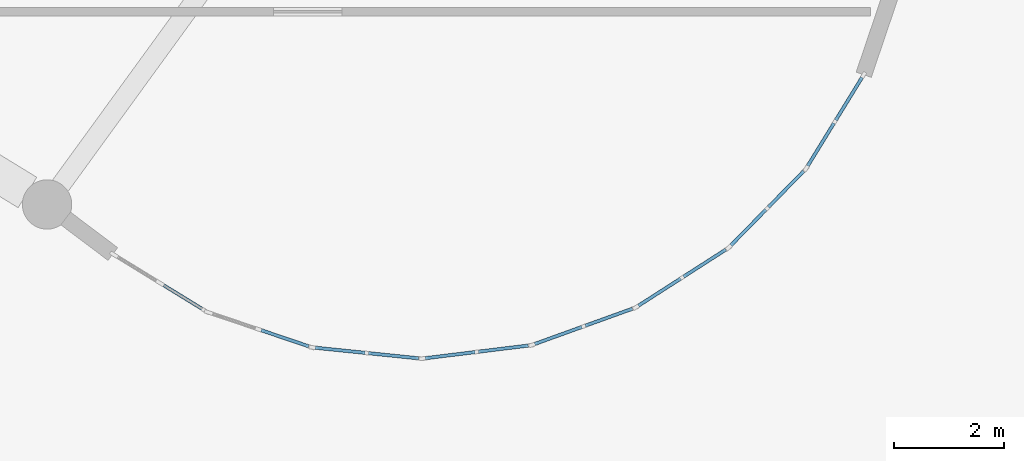
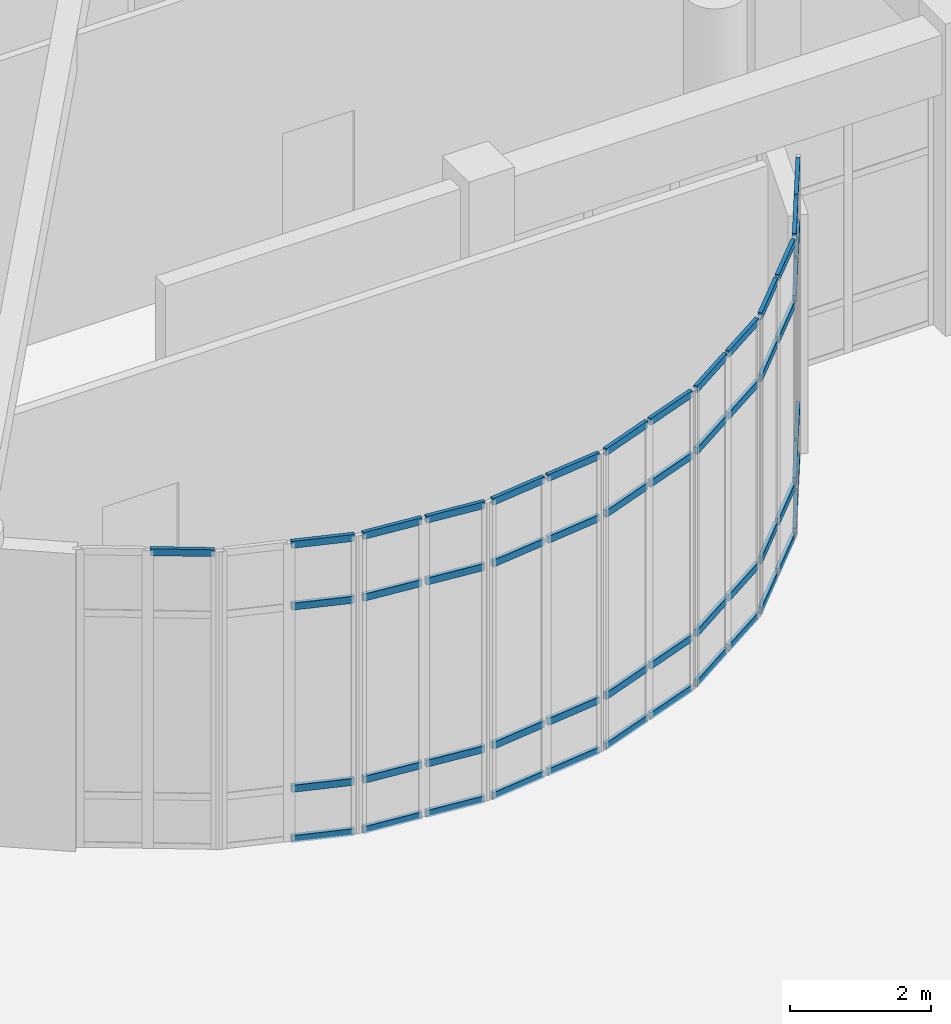
# One storey, part 35 of 70: 53 members, 8 elements without a shape of their own.
"""IFC4 building model written with IfcOpenShell, lengths in metres."""

from ifc_helpers import new_model, si_unit, direction, frame, origin, origin_2d, place, context, subcontext, project, spatial, rectangle, extrude, material, layer, layer_set, material_profile, profile_set, type_object, element, aggregate, save


model = new_model("IFC4")

# Units and contexts
model_context = context("Model", 3, precision=1e-05, world=origin(), true_north=direction((0.0, 1.0)))
body_context = subcontext(model_context, "Body", "Model", "MODEL_VIEW")
ifc_project = project(units=[si_unit("LENGTHUNIT", "METRE"), si_unit("AREAUNIT", "SQUARE_METRE"), si_unit("VOLUMEUNIT", "CUBIC_METRE"), si_unit("PLANEANGLEUNIT", "RADIAN"), si_unit("MASSUNIT", "GRAM", prefix="KILO")], contexts=[model_context])

# Site, building, storey
site_placement = place(None, origin())
site = spatial("IfcSite", under=ifc_project, at=site_placement, CompositionType="ELEMENT")
building_placement = place(site_placement, origin())
building = spatial("IfcBuilding", under=site, at=building_placement, Name="Miralva Faculty of Natural Sciences", CompositionType="ELEMENT")
storey_placement = place(building_placement, origin())
storey = spatial("IfcBuildingStorey", under=building, at=storey_placement, Name="L00", CompositionType="ELEMENT", Elevation=0.0)

# Curtain wall, members
ifc_material_1 = material(Name="Laminated solar-control glass", Category="glass")
ifc_layer = layer(ifc_material_1, 0.179931640625, Name="CW-RND-L00")
ifc_layer_set = layer_set([ifc_layer], Name="Laminated solar-control glass")
curtain_wall_type = type_object("IfcCurtainWallType", Name="CW-RND-L00", PredefinedType="USERDEFINED", material=ifc_layer_set)
curtain_wall_1_placement = place(storey_placement, origin())
curtain_wall_1 = element("IfcCurtainWall", 1, at=curtain_wall_1_placement, inside=storey, type_object=curtain_wall_type, Name="Curtain wall CW-04 L00-21", ObjectType="UNITISED CURTAIN WALL", PredefinedType="USERDEFINED")
ifc_material_2 = material(Name="Anodised aluminium", Category="aluminium")
ifc_material_profile = material_profile(ifc_material_2, rectangle(XDim=0.06005859375, YDim=0.1201171875, at=origin_2d()), Name="TRANSOM 60x120")
ifc_profile_set = profile_set([ifc_material_profile], Name="Anodised aluminium")
member_type = type_object("IfcMemberType", Name="CW-T02", PredefinedType="USERDEFINED", material=ifc_profile_set)
member_1_placement = place(storey_placement, frame((129.140625, 14.490966796875, 0.030029296875), z_axis=(0.52351521274, 0.852016327326, 0.0), x_axis=(-0.852016327326, 0.52351521274, 0.0)))
member_1 = element("IfcMember", 2, at=member_1_placement, type_object=member_type, Name="CW-04 transom 1.1", ObjectType="TRANSOM", PredefinedType="USERDEFINED", context=body_context, shape_type="SweptSolid", body=[
    extrude(rectangle(XDim=0.06005859375, YDim=0.1201171875, at=origin_2d()), origin(), (0.0, 0.0, 1.0), 0.91259765625),
])
member_2_placement = place(storey_placement, frame((129.140625, 14.490966796875, 0.89990234375), z_axis=(0.52351521274, 0.852016327326, 0.0), x_axis=(-0.852016327326, 0.52351521274, 0.0)))
member_2 = element("IfcMember", 3, at=member_2_placement, type_object=member_type, Name="CW-04 transom 1.2", ObjectType="TRANSOM", PredefinedType="USERDEFINED", context=body_context, shape_type="SweptSolid", body=[
    extrude(rectangle(XDim=0.06005859375, YDim=0.1201171875, at=origin_2d()), origin(), (0.0, 0.0, 1.0), 0.91259765625),
])
member_3_placement = place(storey_placement, frame((129.140625, 14.490966796875, 4.050048828125), z_axis=(0.52351521274, 0.852016327326, 0.0), x_axis=(-0.852016327326, 0.52351521274, 0.0)))
member_3 = element("IfcMember", 4, at=member_3_placement, type_object=member_type, Name="CW-04 transom 1.3", ObjectType="TRANSOM", PredefinedType="USERDEFINED", context=body_context, shape_type="SweptSolid", body=[
    extrude(rectangle(XDim=0.06005859375, YDim=0.1201171875, at=origin_2d()), origin(), (0.0, 0.0, 1.0), 0.91259765625),
])
member_4_placement = place(storey_placement, frame((129.140625, 14.490966796875, 5.1201171875), z_axis=(0.52351521274, 0.852016327326, 0.0), x_axis=(-0.852016327326, 0.52351521274, 0.0)))
member_4 = element("IfcMember", 5, at=member_4_placement, type_object=member_type, Name="CW-04 transom 1.4", ObjectType="TRANSOM", PredefinedType="USERDEFINED", context=body_context, shape_type="SweptSolid", body=[
    extrude(rectangle(XDim=0.06005859375, YDim=0.1201171875, at=origin_2d()), origin(), (0.0, 0.0, 1.0), 0.91259765625),
])
member_5_placement = place(storey_placement, frame((129.65234375, 15.323974609375, 0.030029296875), z_axis=(0.523709365282, 0.851897001237, 0.0), x_axis=(-0.851897001237, 0.523709365282, 0.0)))
member_5 = element("IfcMember", 6, at=member_5_placement, type_object=member_type, Name="CW-04 transom 2.1", ObjectType="TRANSOM", PredefinedType="USERDEFINED", context=body_context, shape_type="SweptSolid", body=[
    extrude(rectangle(XDim=0.06005859375, YDim=0.1201171875, at=origin_2d()), origin(), (0.0, 0.0, 1.0), 0.912841796875),
])
member_6_placement = place(storey_placement, frame((129.65234375, 15.323974609375, 0.89990234375), z_axis=(0.523709365282, 0.851897001237, 0.0), x_axis=(-0.851897001237, 0.523709365282, 0.0)))
member_6 = element("IfcMember", 7, at=member_6_placement, type_object=member_type, Name="CW-04 transom 2.2", ObjectType="TRANSOM", PredefinedType="USERDEFINED", context=body_context, shape_type="SweptSolid", body=[
    extrude(rectangle(XDim=0.06005859375, YDim=0.1201171875, at=origin_2d()), origin(), (0.0, 0.0, 1.0), 0.912841796875),
])
member_7_placement = place(storey_placement, frame((129.65234375, 15.323974609375, 4.050048828125), z_axis=(0.523709365282, 0.851897001237, 0.0), x_axis=(-0.851897001237, 0.523709365282, 0.0)))
member_7 = element("IfcMember", 8, at=member_7_placement, type_object=member_type, Name="CW-04 transom 2.3", ObjectType="TRANSOM", PredefinedType="USERDEFINED", context=body_context, shape_type="SweptSolid", body=[
    extrude(rectangle(XDim=0.06005859375, YDim=0.1201171875, at=origin_2d()), origin(), (0.0, 0.0, 1.0), 0.912841796875),
])
member_8_placement = place(storey_placement, frame((129.65234375, 15.323974609375, 5.1201171875), z_axis=(0.523709365282, 0.851897001237, 0.0), x_axis=(-0.851897001237, 0.523709365282, 0.0)))
member_8 = element("IfcMember", 9, at=member_8_placement, type_object=member_type, Name="CW-04 transom 2.4", ObjectType="TRANSOM", PredefinedType="USERDEFINED", context=body_context, shape_type="SweptSolid", body=[
    extrude(rectangle(XDim=0.06005859375, YDim=0.1201171875, at=origin_2d()), origin(), (0.0, 0.0, 1.0), 0.912841796875),
])
aggregate(curtain_wall_1, [member_1, member_2, member_3, member_4, member_5, member_6, member_7, member_8])

curtain_wall_2_placement = place(storey_placement, origin())
curtain_wall_2 = element("IfcCurtainWall", 10, at=curtain_wall_2_placement, inside=storey, type_object=curtain_wall_type, Name="Curtain wall CW-04 L00-22", ObjectType="UNITISED CURTAIN WALL", PredefinedType="USERDEFINED")
member_9_placement = place(storey_placement, frame((127.7412109375, 13.042724609375, 0.030029296875), z_axis=(0.699983155997, 0.71415935289, 0.0), x_axis=(-0.71415935289, 0.699983155997, 0.0)))
member_9 = element("IfcMember", 11, at=member_9_placement, type_object=member_type, Name="CW-04 transom 1.1", ObjectType="TRANSOM", PredefinedType="USERDEFINED", context=body_context, shape_type="SweptSolid", body=[
    extrude(rectangle(XDim=0.06005859375, YDim=0.1201171875, at=origin_2d()), origin(), (0.0, 0.0, 1.0), 0.912841796875),
])
member_10_placement = place(storey_placement, frame((127.7412109375, 13.042724609375, 0.89990234375), z_axis=(0.699983155997, 0.71415935289, 0.0), x_axis=(-0.71415935289, 0.699983155997, 0.0)))
member_10 = element("IfcMember", 12, at=member_10_placement, type_object=member_type, Name="CW-04 transom 1.2", ObjectType="TRANSOM", PredefinedType="USERDEFINED", context=body_context, shape_type="SweptSolid", body=[
    extrude(rectangle(XDim=0.06005859375, YDim=0.1201171875, at=origin_2d()), origin(), (0.0, 0.0, 1.0), 0.912841796875),
])
member_11_placement = place(storey_placement, frame((127.7412109375, 13.042724609375, 4.050048828125), z_axis=(0.699983155997, 0.71415935289, 0.0), x_axis=(-0.71415935289, 0.699983155997, 0.0)))
member_11 = element("IfcMember", 13, at=member_11_placement, type_object=member_type, Name="CW-04 transom 1.3", ObjectType="TRANSOM", PredefinedType="USERDEFINED", context=body_context, shape_type="SweptSolid", body=[
    extrude(rectangle(XDim=0.06005859375, YDim=0.1201171875, at=origin_2d()), origin(), (0.0, 0.0, 1.0), 0.912841796875),
])
member_12_placement = place(storey_placement, frame((127.7412109375, 13.042724609375, 5.1201171875), z_axis=(0.699983155997, 0.71415935289, 0.0), x_axis=(-0.71415935289, 0.699983155997, 0.0)))
member_12 = element("IfcMember", 14, at=member_12_placement, type_object=member_type, Name="CW-04 transom 1.4", ObjectType="TRANSOM", PredefinedType="USERDEFINED", context=body_context, shape_type="SweptSolid", body=[
    extrude(rectangle(XDim=0.06005859375, YDim=0.1201171875, at=origin_2d()), origin(), (0.0, 0.0, 1.0), 0.912841796875),
])
member_13_placement = place(storey_placement, frame((128.425537109375, 13.740966796875, 0.030029296875), z_axis=(0.699983155997, 0.71415935289, 0.0), x_axis=(-0.71415935289, 0.699983155997, 0.0)))
member_13 = element("IfcMember", 15, at=member_13_placement, type_object=member_type, Name="CW-04 transom 2.1", ObjectType="TRANSOM", PredefinedType="USERDEFINED", context=body_context, shape_type="SweptSolid", body=[
    extrude(rectangle(XDim=0.06005859375, YDim=0.1201171875, at=origin_2d()), origin(), (0.0, 0.0, 1.0), 0.912841796875),
])
member_14_placement = place(storey_placement, frame((128.425537109375, 13.740966796875, 0.89990234375), z_axis=(0.699983155997, 0.71415935289, 0.0), x_axis=(-0.71415935289, 0.699983155997, 0.0)))
member_14 = element("IfcMember", 16, at=member_14_placement, type_object=member_type, Name="CW-04 transom 2.2", ObjectType="TRANSOM", PredefinedType="USERDEFINED", context=body_context, shape_type="SweptSolid", body=[
    extrude(rectangle(XDim=0.06005859375, YDim=0.1201171875, at=origin_2d()), origin(), (0.0, 0.0, 1.0), 0.912841796875),
])
member_15_placement = place(storey_placement, frame((128.425537109375, 13.740966796875, 4.050048828125), z_axis=(0.699983155997, 0.71415935289, 0.0), x_axis=(-0.71415935289, 0.699983155997, 0.0)))
member_15 = element("IfcMember", 17, at=member_15_placement, type_object=member_type, Name="CW-04 transom 2.3", ObjectType="TRANSOM", PredefinedType="USERDEFINED", context=body_context, shape_type="SweptSolid", body=[
    extrude(rectangle(XDim=0.06005859375, YDim=0.1201171875, at=origin_2d()), origin(), (0.0, 0.0, 1.0), 0.912841796875),
])
member_16_placement = place(storey_placement, frame((128.425537109375, 13.740966796875, 5.1201171875), z_axis=(0.699983155997, 0.71415935289, 0.0), x_axis=(-0.71415935289, 0.699983155997, 0.0)))
member_16 = element("IfcMember", 18, at=member_16_placement, type_object=member_type, Name="CW-04 transom 2.4", ObjectType="TRANSOM", PredefinedType="USERDEFINED", context=body_context, shape_type="SweptSolid", body=[
    extrude(rectangle(XDim=0.06005859375, YDim=0.1201171875, at=origin_2d()), origin(), (0.0, 0.0, 1.0), 0.912841796875),
])
aggregate(curtain_wall_2, [member_9, member_10, member_11, member_12, member_13, member_14, member_15, member_16])

curtain_wall_3_placement = place(storey_placement, origin())
curtain_wall_3 = element("IfcCurtainWall", 19, at=curtain_wall_3_placement, inside=storey, type_object=curtain_wall_type, Name="Curtain wall CW-04 L00-23", ObjectType="UNITISED CURTAIN WALL", PredefinedType="USERDEFINED")
member_17_placement = place(storey_placement, frame((126.0546875, 11.9423828125, 0.030029296875), z_axis=(0.841395718797, 0.540419507781, 0.0), x_axis=(-0.540419507781, 0.841395718797, 0.0)))
member_17 = element("IfcMember", 20, at=member_17_placement, type_object=member_type, Name="CW-04 transom 1.1", ObjectType="TRANSOM", PredefinedType="USERDEFINED", context=body_context, shape_type="SweptSolid", body=[
    extrude(rectangle(XDim=0.06005859375, YDim=0.1201171875, at=origin_2d()), origin(), (0.0, 0.0, 1.0), 0.91259765625),
])
member_18_placement = place(storey_placement, frame((126.0546875, 11.9423828125, 0.89990234375), z_axis=(0.841395718797, 0.540419507781, 0.0), x_axis=(-0.540419507781, 0.841395718797, 0.0)))
member_18 = element("IfcMember", 21, at=member_18_placement, type_object=member_type, Name="CW-04 transom 1.2", ObjectType="TRANSOM", PredefinedType="USERDEFINED", context=body_context, shape_type="SweptSolid", body=[
    extrude(rectangle(XDim=0.06005859375, YDim=0.1201171875, at=origin_2d()), origin(), (0.0, 0.0, 1.0), 0.91259765625),
])
member_19_placement = place(storey_placement, frame((126.0546875, 11.9423828125, 4.050048828125), z_axis=(0.841395718797, 0.540419507781, 0.0), x_axis=(-0.540419507781, 0.841395718797, 0.0)))
member_19 = element("IfcMember", 22, at=member_19_placement, type_object=member_type, Name="CW-04 transom 1.3", ObjectType="TRANSOM", PredefinedType="USERDEFINED", context=body_context, shape_type="SweptSolid", body=[
    extrude(rectangle(XDim=0.06005859375, YDim=0.1201171875, at=origin_2d()), origin(), (0.0, 0.0, 1.0), 0.91259765625),
])
member_20_placement = place(storey_placement, frame((126.0546875, 11.9423828125, 5.1201171875), z_axis=(0.841395718797, 0.540419507781, 0.0), x_axis=(-0.540419507781, 0.841395718797, 0.0)))
member_20 = element("IfcMember", 23, at=member_20_placement, type_object=member_type, Name="CW-04 transom 1.4", ObjectType="TRANSOM", PredefinedType="USERDEFINED", context=body_context, shape_type="SweptSolid", body=[
    extrude(rectangle(XDim=0.06005859375, YDim=0.1201171875, at=origin_2d()), origin(), (0.0, 0.0, 1.0), 0.91259765625),
])
member_21_placement = place(storey_placement, frame((126.877197265625, 12.470703125, 0.030029296875), z_axis=(0.841473826714, 0.540297879836, 0.0), x_axis=(-0.540297879836, 0.841473826714, 0.0)))
member_21 = element("IfcMember", 24, at=member_21_placement, type_object=member_type, Name="CW-04 transom 2.1", ObjectType="TRANSOM", PredefinedType="USERDEFINED", context=body_context, shape_type="SweptSolid", body=[
    extrude(rectangle(XDim=0.06005859375, YDim=0.1201171875, at=origin_2d()), origin(), (0.0, 0.0, 1.0), 0.912841796875),
])
member_22_placement = place(storey_placement, frame((126.877197265625, 12.470703125, 0.89990234375), z_axis=(0.841473826714, 0.540297879836, 0.0), x_axis=(-0.540297879836, 0.841473826714, 0.0)))
member_22 = element("IfcMember", 25, at=member_22_placement, type_object=member_type, Name="CW-04 transom 2.2", ObjectType="TRANSOM", PredefinedType="USERDEFINED", context=body_context, shape_type="SweptSolid", body=[
    extrude(rectangle(XDim=0.06005859375, YDim=0.1201171875, at=origin_2d()), origin(), (0.0, 0.0, 1.0), 0.912841796875),
])
member_23_placement = place(storey_placement, frame((126.877197265625, 12.470703125, 4.050048828125), z_axis=(0.841473826714, 0.540297879836, 0.0), x_axis=(-0.540297879836, 0.841473826714, 0.0)))
member_23 = element("IfcMember", 26, at=member_23_placement, type_object=member_type, Name="CW-04 transom 2.3", ObjectType="TRANSOM", PredefinedType="USERDEFINED", context=body_context, shape_type="SweptSolid", body=[
    extrude(rectangle(XDim=0.06005859375, YDim=0.1201171875, at=origin_2d()), origin(), (0.0, 0.0, 1.0), 0.912841796875),
])
member_24_placement = place(storey_placement, frame((126.877197265625, 12.470703125, 5.1201171875), z_axis=(0.841473826714, 0.540297879836, 0.0), x_axis=(-0.540297879836, 0.841473826714, 0.0)))
member_24 = element("IfcMember", 27, at=member_24_placement, type_object=member_type, Name="CW-04 transom 2.4", ObjectType="TRANSOM", PredefinedType="USERDEFINED", context=body_context, shape_type="SweptSolid", body=[
    extrude(rectangle(XDim=0.06005859375, YDim=0.1201171875, at=origin_2d()), origin(), (0.0, 0.0, 1.0), 0.912841796875),
])
aggregate(curtain_wall_3, [member_17, member_18, member_19, member_20, member_21, member_22, member_23, member_24])

curtain_wall_4_placement = place(storey_placement, origin())
curtain_wall_4 = element("IfcCurtainWall", 28, at=curtain_wall_4_placement, inside=storey, type_object=curtain_wall_type, Name="Curtain wall CW-04 L00-24", ObjectType="UNITISED CURTAIN WALL", PredefinedType="USERDEFINED")
member_25_placement = place(storey_placement, frame((124.16552734375, 11.24462890625, 0.030029296875), z_axis=(0.940525411881, 0.339723342744, 0.0), x_axis=(-0.339723342744, 0.940525411881, 0.0)))
member_25 = element("IfcMember", 29, at=member_25_placement, type_object=member_type, Name="CW-04 transom 1.1", ObjectType="TRANSOM", PredefinedType="USERDEFINED", context=body_context, shape_type="SweptSolid", body=[
    extrude(rectangle(XDim=0.06005859375, YDim=0.1201171875, at=origin_2d()), origin(), (0.0, 0.0, 1.0), 0.91259765625),
])
member_26_placement = place(storey_placement, frame((124.16552734375, 11.24462890625, 0.89990234375), z_axis=(0.940525411881, 0.339723342744, 0.0), x_axis=(-0.339723342744, 0.940525411881, 0.0)))
member_26 = element("IfcMember", 30, at=member_26_placement, type_object=member_type, Name="CW-04 transom 1.2", ObjectType="TRANSOM", PredefinedType="USERDEFINED", context=body_context, shape_type="SweptSolid", body=[
    extrude(rectangle(XDim=0.06005859375, YDim=0.1201171875, at=origin_2d()), origin(), (0.0, 0.0, 1.0), 0.91259765625),
])
member_27_placement = place(storey_placement, frame((124.16552734375, 11.24462890625, 4.050048828125), z_axis=(0.940525411881, 0.339723342744, 0.0), x_axis=(-0.339723342744, 0.940525411881, 0.0)))
member_27 = element("IfcMember", 31, at=member_27_placement, type_object=member_type, Name="CW-04 transom 1.3", ObjectType="TRANSOM", PredefinedType="USERDEFINED", context=body_context, shape_type="SweptSolid", body=[
    extrude(rectangle(XDim=0.06005859375, YDim=0.1201171875, at=origin_2d()), origin(), (0.0, 0.0, 1.0), 0.91259765625),
])
member_28_placement = place(storey_placement, frame((124.16552734375, 11.24462890625, 5.1201171875), z_axis=(0.940525411881, 0.339723342744, 0.0), x_axis=(-0.339723342744, 0.940525411881, 0.0)))
member_28 = element("IfcMember", 32, at=member_28_placement, type_object=member_type, Name="CW-04 transom 1.4", ObjectType="TRANSOM", PredefinedType="USERDEFINED", context=body_context, shape_type="SweptSolid", body=[
    extrude(rectangle(XDim=0.06005859375, YDim=0.1201171875, at=origin_2d()), origin(), (0.0, 0.0, 1.0), 0.91259765625),
])
member_29_placement = place(storey_placement, frame((125.085205078125, 11.576904296875, 0.030029296875), z_axis=(0.94061086064, 0.339486684344, 0.0), x_axis=(-0.339486684344, 0.94061086064, 0.0)))
member_29 = element("IfcMember", 33, at=member_29_placement, type_object=member_type, Name="CW-04 transom 2.1", ObjectType="TRANSOM", PredefinedType="USERDEFINED", context=body_context, shape_type="SweptSolid", body=[
    extrude(rectangle(XDim=0.06005859375, YDim=0.1201171875, at=origin_2d()), origin(), (0.0, 0.0, 1.0), 0.91259765625),
])
member_30_placement = place(storey_placement, frame((125.085205078125, 11.576904296875, 0.89990234375), z_axis=(0.94061086064, 0.339486684344, 0.0), x_axis=(-0.339486684344, 0.94061086064, 0.0)))
member_30 = element("IfcMember", 34, at=member_30_placement, type_object=member_type, Name="CW-04 transom 2.2", ObjectType="TRANSOM", PredefinedType="USERDEFINED", context=body_context, shape_type="SweptSolid", body=[
    extrude(rectangle(XDim=0.06005859375, YDim=0.1201171875, at=origin_2d()), origin(), (0.0, 0.0, 1.0), 0.91259765625),
])
member_31_placement = place(storey_placement, frame((125.085205078125, 11.576904296875, 4.050048828125), z_axis=(0.94061086064, 0.339486684344, 0.0), x_axis=(-0.339486684344, 0.94061086064, 0.0)))
member_31 = element("IfcMember", 35, at=member_31_placement, type_object=member_type, Name="CW-04 transom 2.3", ObjectType="TRANSOM", PredefinedType="USERDEFINED", context=body_context, shape_type="SweptSolid", body=[
    extrude(rectangle(XDim=0.06005859375, YDim=0.1201171875, at=origin_2d()), origin(), (0.0, 0.0, 1.0), 0.91259765625),
])
member_32_placement = place(storey_placement, frame((125.085205078125, 11.576904296875, 5.1201171875), z_axis=(0.94061086064, 0.339486684344, 0.0), x_axis=(-0.339486684344, 0.94061086064, 0.0)))
member_32 = element("IfcMember", 36, at=member_32_placement, type_object=member_type, Name="CW-04 transom 2.4", ObjectType="TRANSOM", PredefinedType="USERDEFINED", context=body_context, shape_type="SweptSolid", body=[
    extrude(rectangle(XDim=0.06005859375, YDim=0.1201171875, at=origin_2d()), origin(), (0.0, 0.0, 1.0), 0.91259765625),
])
aggregate(curtain_wall_4, [member_25, member_26, member_27, member_28, member_29, member_30, member_31, member_32])

curtain_wall_5_placement = place(storey_placement, origin())
curtain_wall_5 = element("IfcCurtainWall", 37, at=curtain_wall_5_placement, inside=storey, type_object=curtain_wall_type, Name="Curtain wall CW-04 L00-25", ObjectType="UNITISED CURTAIN WALL", PredefinedType="USERDEFINED")
member_33_placement = place(storey_placement, frame((122.168701171875, 10.98486328125, 0.030029296875), z_axis=(0.992534937681, 0.121960639068, 0.0), x_axis=(-0.121960639068, 0.992534937681, 0.0)))
member_33 = element("IfcMember", 38, at=member_33_placement, type_object=member_type, Name="CW-04 transom 1.1", ObjectType="TRANSOM", PredefinedType="USERDEFINED", context=body_context, shape_type="SweptSolid", body=[
    extrude(rectangle(XDim=0.06005859375, YDim=0.1201171875, at=origin_2d()), origin(), (0.0, 0.0, 1.0), 0.912841796875),
])
member_34_placement = place(storey_placement, frame((122.168701171875, 10.98486328125, 0.89990234375), z_axis=(0.992534937681, 0.121960639068, 0.0), x_axis=(-0.121960639068, 0.992534937681, 0.0)))
member_34 = element("IfcMember", 39, at=member_34_placement, type_object=member_type, Name="CW-04 transom 1.2", ObjectType="TRANSOM", PredefinedType="USERDEFINED", context=body_context, shape_type="SweptSolid", body=[
    extrude(rectangle(XDim=0.06005859375, YDim=0.1201171875, at=origin_2d()), origin(), (0.0, 0.0, 1.0), 0.912841796875),
])
member_35_placement = place(storey_placement, frame((122.168701171875, 10.98486328125, 4.050048828125), z_axis=(0.992534937681, 0.121960639068, 0.0), x_axis=(-0.121960639068, 0.992534937681, 0.0)))
member_35 = element("IfcMember", 40, at=member_35_placement, type_object=member_type, Name="CW-04 transom 1.3", ObjectType="TRANSOM", PredefinedType="USERDEFINED", context=body_context, shape_type="SweptSolid", body=[
    extrude(rectangle(XDim=0.06005859375, YDim=0.1201171875, at=origin_2d()), origin(), (0.0, 0.0, 1.0), 0.912841796875),
])
member_36_placement = place(storey_placement, frame((122.168701171875, 10.98486328125, 5.1201171875), z_axis=(0.992534937681, 0.121960639068, 0.0), x_axis=(-0.121960639068, 0.992534937681, 0.0)))
member_36 = element("IfcMember", 41, at=member_36_placement, type_object=member_type, Name="CW-04 transom 1.4", ObjectType="TRANSOM", PredefinedType="USERDEFINED", context=body_context, shape_type="SweptSolid", body=[
    extrude(rectangle(XDim=0.06005859375, YDim=0.1201171875, at=origin_2d()), origin(), (0.0, 0.0, 1.0), 0.912841796875),
])
member_37_placement = place(storey_placement, frame((123.13916015625, 11.10400390625, 0.030029296875), z_axis=(0.992530957827, 0.121993023388, 0.0), x_axis=(-0.121993023388, 0.992530957827, 0.0)))
member_37 = element("IfcMember", 42, at=member_37_placement, type_object=member_type, Name="CW-04 transom 2.1", ObjectType="TRANSOM", PredefinedType="USERDEFINED", context=body_context, shape_type="SweptSolid", body=[
    extrude(rectangle(XDim=0.06005859375, YDim=0.1201171875, at=origin_2d()), origin(), (0.0, 0.0, 1.0), 0.91259765625),
])
member_38_placement = place(storey_placement, frame((123.13916015625, 11.10400390625, 0.89990234375), z_axis=(0.992530957827, 0.121993023388, 0.0), x_axis=(-0.121993023388, 0.992530957827, 0.0)))
member_38 = element("IfcMember", 43, at=member_38_placement, type_object=member_type, Name="CW-04 transom 2.2", ObjectType="TRANSOM", PredefinedType="USERDEFINED", context=body_context, shape_type="SweptSolid", body=[
    extrude(rectangle(XDim=0.06005859375, YDim=0.1201171875, at=origin_2d()), origin(), (0.0, 0.0, 1.0), 0.91259765625),
])
member_39_placement = place(storey_placement, frame((123.13916015625, 11.10400390625, 4.050048828125), z_axis=(0.992530957827, 0.121993023388, 0.0), x_axis=(-0.121993023388, 0.992530957827, 0.0)))
member_39 = element("IfcMember", 44, at=member_39_placement, type_object=member_type, Name="CW-04 transom 2.3", ObjectType="TRANSOM", PredefinedType="USERDEFINED", context=body_context, shape_type="SweptSolid", body=[
    extrude(rectangle(XDim=0.06005859375, YDim=0.1201171875, at=origin_2d()), origin(), (0.0, 0.0, 1.0), 0.91259765625),
])
member_40_placement = place(storey_placement, frame((123.13916015625, 11.10400390625, 5.1201171875), z_axis=(0.992530957827, 0.121993023388, 0.0), x_axis=(-0.121993023388, 0.992530957827, 0.0)))
member_40 = element("IfcMember", 45, at=member_40_placement, type_object=member_type, Name="CW-04 transom 2.4", ObjectType="TRANSOM", PredefinedType="USERDEFINED", context=body_context, shape_type="SweptSolid", body=[
    extrude(rectangle(XDim=0.06005859375, YDim=0.1201171875, at=origin_2d()), origin(), (0.0, 0.0, 1.0), 0.91259765625),
])
aggregate(curtain_wall_5, [member_33, member_34, member_35, member_36, member_37, member_38, member_39, member_40])

curtain_wall_6_placement = place(storey_placement, origin())
curtain_wall_6 = element("IfcCurtainWall", 46, at=curtain_wall_6_placement, inside=storey, type_object=curtain_wall_type, Name="Curtain wall CW-04 L00-26", ObjectType="UNITISED CURTAIN WALL", PredefinedType="USERDEFINED")
member_41_placement = place(storey_placement, frame((120.1640625, 11.176025390625, 0.030029296875), z_axis=(0.994793266196, -0.101913480619, 0.0), x_axis=(0.101913480619, 0.994793266196, 0.0)))
member_41 = element("IfcMember", 47, at=member_41_placement, type_object=member_type, Name="CW-04 transom 1.1", ObjectType="TRANSOM", PredefinedType="USERDEFINED", context=body_context, shape_type="SweptSolid", body=[
    extrude(rectangle(XDim=0.06005859375, YDim=0.1201171875, at=origin_2d()), origin(), (0.0, 0.0, 1.0), 0.91259765625),
])
member_42_placement = place(storey_placement, frame((120.1640625, 11.176025390625, 0.89990234375), z_axis=(0.994793266196, -0.101913480619, 0.0), x_axis=(0.101913480619, 0.994793266196, 0.0)))
member_42 = element("IfcMember", 48, at=member_42_placement, type_object=member_type, Name="CW-04 transom 1.2", ObjectType="TRANSOM", PredefinedType="USERDEFINED", context=body_context, shape_type="SweptSolid", body=[
    extrude(rectangle(XDim=0.06005859375, YDim=0.1201171875, at=origin_2d()), origin(), (0.0, 0.0, 1.0), 0.91259765625),
])
member_43_placement = place(storey_placement, frame((120.1640625, 11.176025390625, 4.050048828125), z_axis=(0.994793266196, -0.101913480619, 0.0), x_axis=(0.101913480619, 0.994793266196, 0.0)))
member_43 = element("IfcMember", 49, at=member_43_placement, type_object=member_type, Name="CW-04 transom 1.3", ObjectType="TRANSOM", PredefinedType="USERDEFINED", context=body_context, shape_type="SweptSolid", body=[
    extrude(rectangle(XDim=0.06005859375, YDim=0.1201171875, at=origin_2d()), origin(), (0.0, 0.0, 1.0), 0.91259765625),
])
member_44_placement = place(storey_placement, frame((120.1640625, 11.176025390625, 5.1201171875), z_axis=(0.994793266196, -0.101913480619, 0.0), x_axis=(0.101913480619, 0.994793266196, 0.0)))
member_44 = element("IfcMember", 50, at=member_44_placement, type_object=member_type, Name="CW-04 transom 1.4", ObjectType="TRANSOM", PredefinedType="USERDEFINED", context=body_context, shape_type="SweptSolid", body=[
    extrude(rectangle(XDim=0.06005859375, YDim=0.1201171875, at=origin_2d()), origin(), (0.0, 0.0, 1.0), 0.91259765625),
])
member_45_placement = place(storey_placement, frame((121.136474609375, 11.076171875, 0.030029296875), z_axis=(0.994793266196, -0.101913480619, 0.0), x_axis=(0.101913480619, 0.994793266196, 0.0)))
member_45 = element("IfcMember", 51, at=member_45_placement, type_object=member_type, Name="CW-04 transom 2.1", ObjectType="TRANSOM", PredefinedType="USERDEFINED", context=body_context, shape_type="SweptSolid", body=[
    extrude(rectangle(XDim=0.06005859375, YDim=0.1201171875, at=origin_2d()), origin(), (0.0, 0.0, 1.0), 0.91259765625),
])
member_46_placement = place(storey_placement, frame((121.136474609375, 11.076171875, 0.89990234375), z_axis=(0.994793266196, -0.101913480619, 0.0), x_axis=(0.101913480619, 0.994793266196, 0.0)))
member_46 = element("IfcMember", 52, at=member_46_placement, type_object=member_type, Name="CW-04 transom 2.2", ObjectType="TRANSOM", PredefinedType="USERDEFINED", context=body_context, shape_type="SweptSolid", body=[
    extrude(rectangle(XDim=0.06005859375, YDim=0.1201171875, at=origin_2d()), origin(), (0.0, 0.0, 1.0), 0.91259765625),
])
member_47_placement = place(storey_placement, frame((121.136474609375, 11.076171875, 4.050048828125), z_axis=(0.994793266196, -0.101913480619, 0.0), x_axis=(0.101913480619, 0.994793266196, 0.0)))
member_47 = element("IfcMember", 53, at=member_47_placement, type_object=member_type, Name="CW-04 transom 2.3", ObjectType="TRANSOM", PredefinedType="USERDEFINED", context=body_context, shape_type="SweptSolid", body=[
    extrude(rectangle(XDim=0.06005859375, YDim=0.1201171875, at=origin_2d()), origin(), (0.0, 0.0, 1.0), 0.91259765625),
])
member_48_placement = place(storey_placement, frame((121.136474609375, 11.076171875, 5.1201171875), z_axis=(0.994793266196, -0.101913480619, 0.0), x_axis=(0.101913480619, 0.994793266196, 0.0)))
member_48 = element("IfcMember", 54, at=member_48_placement, type_object=member_type, Name="CW-04 transom 2.4", ObjectType="TRANSOM", PredefinedType="USERDEFINED", context=body_context, shape_type="SweptSolid", body=[
    extrude(rectangle(XDim=0.06005859375, YDim=0.1201171875, at=origin_2d()), origin(), (0.0, 0.0, 1.0), 0.91259765625),
])
aggregate(curtain_wall_6, [member_41, member_42, member_43, member_44, member_45, member_46, member_47, member_48])

curtain_wall_7_placement = place(storey_placement, origin())
curtain_wall_7 = element("IfcCurtainWall", 55, at=curtain_wall_7_placement, inside=storey, type_object=curtain_wall_type, Name="Curtain wall CW-04 L00-27", ObjectType="UNITISED CURTAIN WALL", PredefinedType="USERDEFINED")
member_49_placement = place(storey_placement, frame((119.177978515625, 11.494873046875, 0.030029296875), z_axis=(0.947093442527, -0.320957958496, 0.0), x_axis=(0.320957958496, 0.947093442527, 0.0)))
member_49 = element("IfcMember", 56, at=member_49_placement, type_object=member_type, Name="CW-04 transom 2.1", ObjectType="TRANSOM", PredefinedType="USERDEFINED", context=body_context, shape_type="SweptSolid", body=[
    extrude(rectangle(XDim=0.06005859375, YDim=0.1201171875, at=origin_2d()), origin(), (0.0, 0.0, 1.0), 0.912841796875),
])
member_50_placement = place(storey_placement, frame((119.177978515625, 11.494873046875, 0.89990234375), z_axis=(0.947093442527, -0.320957958496, 0.0), x_axis=(0.320957958496, 0.947093442527, 0.0)))
member_50 = element("IfcMember", 57, at=member_50_placement, type_object=member_type, Name="CW-04 transom 2.2", ObjectType="TRANSOM", PredefinedType="USERDEFINED", context=body_context, shape_type="SweptSolid", body=[
    extrude(rectangle(XDim=0.06005859375, YDim=0.1201171875, at=origin_2d()), origin(), (0.0, 0.0, 1.0), 0.912841796875),
])
member_51_placement = place(storey_placement, frame((119.177978515625, 11.494873046875, 4.050048828125), z_axis=(0.947093442527, -0.320957958496, 0.0), x_axis=(0.320957958496, 0.947093442527, 0.0)))
member_51 = element("IfcMember", 58, at=member_51_placement, type_object=member_type, Name="CW-04 transom 2.3", ObjectType="TRANSOM", PredefinedType="USERDEFINED", context=body_context, shape_type="SweptSolid", body=[
    extrude(rectangle(XDim=0.06005859375, YDim=0.1201171875, at=origin_2d()), origin(), (0.0, 0.0, 1.0), 0.912841796875),
])
member_52_placement = place(storey_placement, frame((119.177978515625, 11.494873046875, 5.1201171875), z_axis=(0.947093442527, -0.320957958496, 0.0), x_axis=(0.320957958496, 0.947093442527, 0.0)))
member_52 = element("IfcMember", 59, at=member_52_placement, type_object=member_type, Name="CW-04 transom 2.4", ObjectType="TRANSOM", PredefinedType="USERDEFINED", context=body_context, shape_type="SweptSolid", body=[
    extrude(rectangle(XDim=0.06005859375, YDim=0.1201171875, at=origin_2d()), origin(), (0.0, 0.0, 1.0), 0.912841796875),
])
aggregate(curtain_wall_7, [member_49, member_50, member_51, member_52])

# Curtain wall, member
curtain_wall_8_placement = place(storey_placement, origin())
curtain_wall_8 = element("IfcCurtainWall", 60, at=curtain_wall_8_placement, inside=storey, type_object=curtain_wall_type, Name="Curtain wall CW-04 L00-28", ObjectType="UNITISED CURTAIN WALL", PredefinedType="USERDEFINED")
member_53_placement = place(storey_placement, frame((117.359619140625, 12.33984375, 5.1201171875), z_axis=(0.852079385705, -0.523412571933, 0.0), x_axis=(0.523412571933, 0.852079385705, 0.0)))
member_53 = element("IfcMember", 61, at=member_53_placement, type_object=member_type, Name="CW-04 transom 2.4", ObjectType="TRANSOM", PredefinedType="USERDEFINED", context=body_context, shape_type="SweptSolid", body=[
    extrude(rectangle(XDim=0.06005859375, YDim=0.1201171875, at=origin_2d()), origin(), (0.0, 0.0, 1.0), 0.9150390625),
])
aggregate(curtain_wall_8, [member_53])

save(model, "model.ifc")
